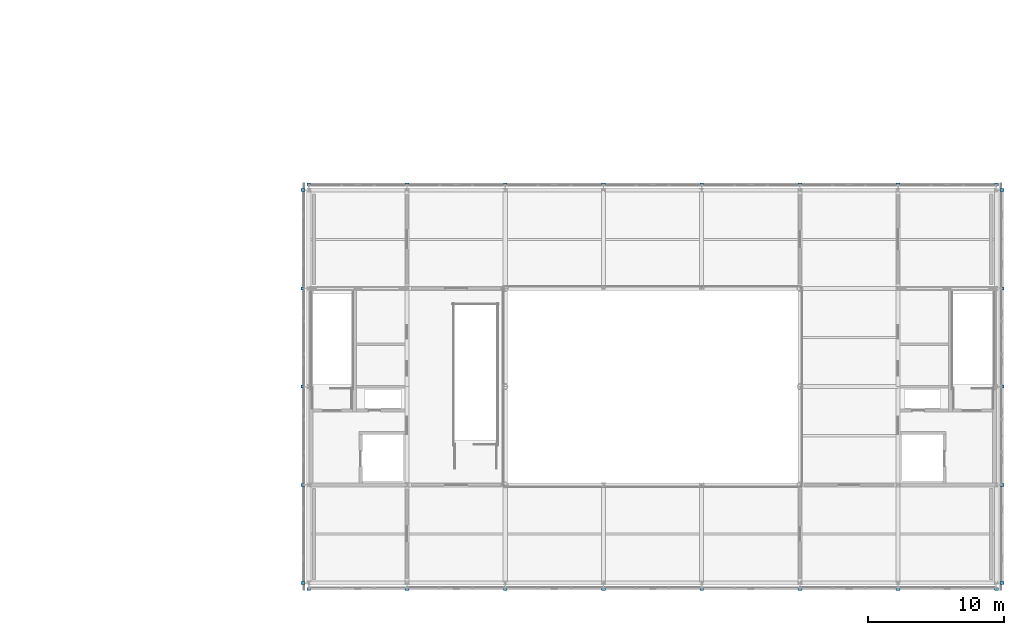
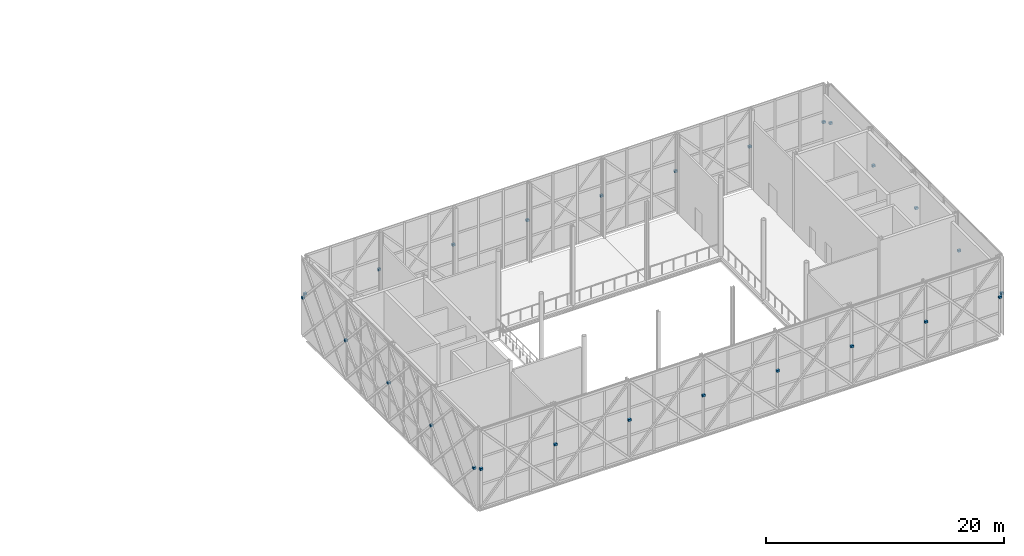
# One storey, part 72 of 76: 26 discrete accessories.
"""IFC4 building model written with IfcOpenShell, lengths in metres."""

from ifc_helpers import new_model, si_unit, direction, frame, origin, origin_2d, place, context, subcontext, project, spatial, rectangle, extrude, material, type_object, element, save


model = new_model("IFC4")

# Units and contexts
model_context = context("Model", 3, precision=1e-05, world=origin(), true_north=direction((0.0, 1.0)))
body_context = subcontext(model_context, "Body", "Model", "MODEL_VIEW")
ifc_project = project(units=[si_unit("LENGTHUNIT", "METRE"), si_unit("AREAUNIT", "SQUARE_METRE"), si_unit("VOLUMEUNIT", "CUBIC_METRE"), si_unit("PLANEANGLEUNIT", "RADIAN"), si_unit("MASSUNIT", "GRAM", prefix="KILO")], contexts=[model_context])

# Site, building, storey
site_placement = place(None, origin())
site = spatial("IfcSite", under=ifc_project, at=site_placement, CompositionType="ELEMENT")
building_placement = place(site_placement, origin())
building = spatial("IfcBuilding", under=site, at=building_placement, Name="Zlatovets Crest Museum", CompositionType="ELEMENT")
storey_placement = place(building_placement, frame((0.0, 0.0, 17.10009765625)))
storey = spatial("IfcBuildingStorey", under=building, at=storey_placement, Name="L04", CompositionType="ELEMENT", Elevation=17.10009765625)

# Discrete accessories
ifc_material = material(Name="Structural steel S355J2", Category="steel")
discrete_accessory_type = type_object("IfcDiscreteAccessoryType", Name="LatticeBracket_BK01", PredefinedType="BRACKET", material=ifc_material)
for number, where, z_axis, x_axis, name in (
    (1, (57.60009765625, -0.419921875, 3.93994140625), (0.0, 0.0, 1.0), (1.0, 0.0, 0.0), "Bronze Lattice Structural Collector Bracket"),
    (2, (64.800048828125, -0.419921875, 3.93994140625), (0.0, 0.0, 1.0), (1.0, 0.0, 0.0), "Bronze Lattice Structural Collector Bracket"),
    (3, (72.0, -0.419921875, 3.93994140625), (0.0, 0.0, 1.0), (1.0, 0.0, 0.0), "Bronze Lattice Structural Collector Bracket"),
    (4, (79.199951171875, -0.419921875, 3.93994140625), (0.0, 0.0, 1.0), (1.0, 0.0, 0.0), "Bronze Lattice Structural Collector Bracket"),
    (5, (86.39990234375, -0.419921875, 3.93994140625), (0.0, 0.0, 1.0), (1.0, 0.0, 0.0), "Bronze Lattice Structural Collector Bracket"),
    (6, (93.60009765625, -0.419921875, 3.93994140625), (0.0, 0.0, 1.0), (1.0, 0.0, 0.0), "Bronze Lattice Structural Collector Bracket"),
    (7, (100.800048828125, -0.419921875, 3.93994140625), (0.0, 0.0, 1.0), (1.0, 0.0, 0.0), "Bronze Lattice Structural Collector Bracket"),
    (8, (108.0, -0.419921875, 3.93994140625), (0.0, 0.0, 1.0), (1.0, 0.0, 0.0), "Bronze Lattice Structural Collector Bracket"),
    (9, (108.419921875, 0.0, 3.93994140625), (0.0, 0.0, 1.0), (1.0, 0.0, 0.0), "Bronze Lattice Structural Collector Bracket"),
    (10, (108.419921875, 7.199951171875, 3.93994140625), (0.0, 0.0, 1.0), (1.0, 0.0, 0.0), "Bronze Lattice Structural Collector Bracket"),
    (11, (108.419921875, 14.39990234375, 3.93994140625), (0.0, 0.0, 1.0), (1.0, 0.0, 0.0), "Bronze Lattice Structural Collector Bracket"),
    (12, (108.419921875, 21.60009765625, 3.93994140625), (0.0, 0.0, 1.0), (1.0, 0.0, 0.0), "Bronze Lattice Structural Collector Bracket"),
    (13, (108.419921875, 28.800048828125, 3.93994140625), (0.0, 0.0, 1.0), (1.0, 0.0, 0.0), "Bronze Lattice Structural Collector Bracket"),
    (14, (108.0, 29.219970703125, 3.93994140625), (0.0, 0.0, 1.0), (1.0, 0.0, 0.0), "Bronze Lattice Structural Collector Bracket"),
    (15, (100.800048828125, 29.219970703125, 3.93994140625), (0.0, 0.0, 1.0), (1.0, 0.0, 0.0), "Bronze Lattice Structural Collector Bracket"),
    (16, (93.60009765625, 29.219970703125, 3.93994140625), (0.0, 0.0, 1.0), (1.0, 0.0, 0.0), "Bronze Lattice Structural Collector Bracket"),
    (17, (86.39990234375, 29.219970703125, 3.93994140625), (0.0, 0.0, 1.0), (1.0, 0.0, 0.0), "Bronze Lattice Structural Collector Bracket"),
    (18, (79.199951171875, 29.219970703125, 3.93994140625), (0.0, 0.0, 1.0), (1.0, 0.0, 0.0), "Bronze Lattice Structural Collector Bracket"),
    (19, (72.0, 29.219970703125, 3.93994140625), (0.0, 0.0, 1.0), (1.0, 0.0, 0.0), "Bronze Lattice Structural Collector Bracket"),
    (20, (64.800048828125, 29.219970703125, 3.93994140625), (0.0, 0.0, 1.0), (1.0, 0.0, 0.0), "Bronze Lattice Structural Collector Bracket"),
    (21, (57.60009765625, 29.219970703125, 3.93994140625), (0.0, 0.0, 1.0), (1.0, 0.0, 0.0), "Bronze Lattice Structural Collector Bracket"),
    (22, (57.179931640625, 28.800048828125, 3.93994140625), (0.0, 0.0, 1.0), (1.0, 0.0, 0.0), "Bronze Lattice Structural Collector Bracket"),
    (23, (57.179931640625, 21.60009765625, 3.93994140625), (0.0, 0.0, 1.0), (1.0, 0.0, 0.0), "Bronze Lattice Structural Collector Bracket"),
    (24, (57.179931640625, 14.39990234375, 3.93994140625), (0.0, 0.0, 1.0), (1.0, 0.0, 0.0), "Bronze Lattice Structural Collector Bracket"),
    (25, (57.179931640625, 7.199951171875, 3.93994140625), (0.0, 0.0, 1.0), (1.0, 0.0, 0.0), "Bronze Lattice Structural Collector Bracket"),
    (26, (57.179931640625, 0.0, 3.93994140625), (0.0, 0.0, 1.0), (1.0, 0.0, 0.0), "Bronze Lattice Structural Collector Bracket"),
):
    element("IfcDiscreteAccessory", number, at=place(storey_placement, frame(where, z_axis=z_axis, x_axis=x_axis)), inside=storey, type_object=discrete_accessory_type, Name=name, PredefinedType="BRACKET", context=body_context, shape_type="SweptSolid", body=[
        extrude(rectangle(XDim=0.280029296875, YDim=0.219970703125, at=origin_2d()), origin(), (0.0, 0.0, 1.0), 0.219970703125),
    ])

save(model, "model.ifc")
